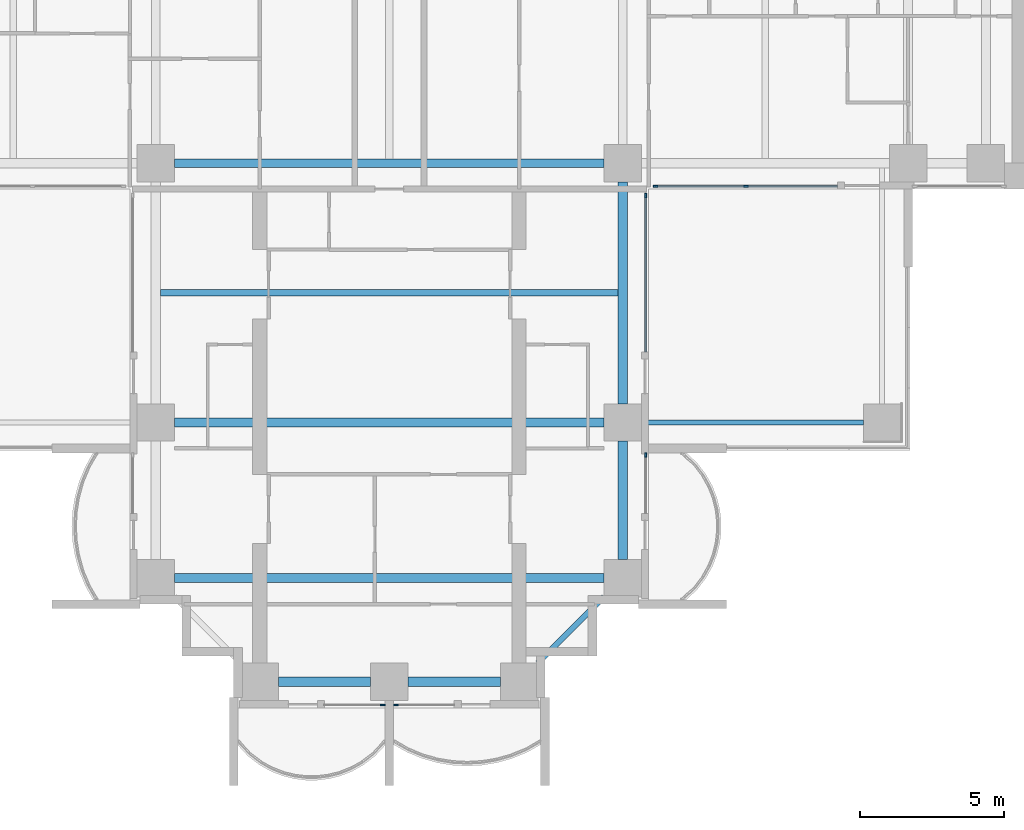
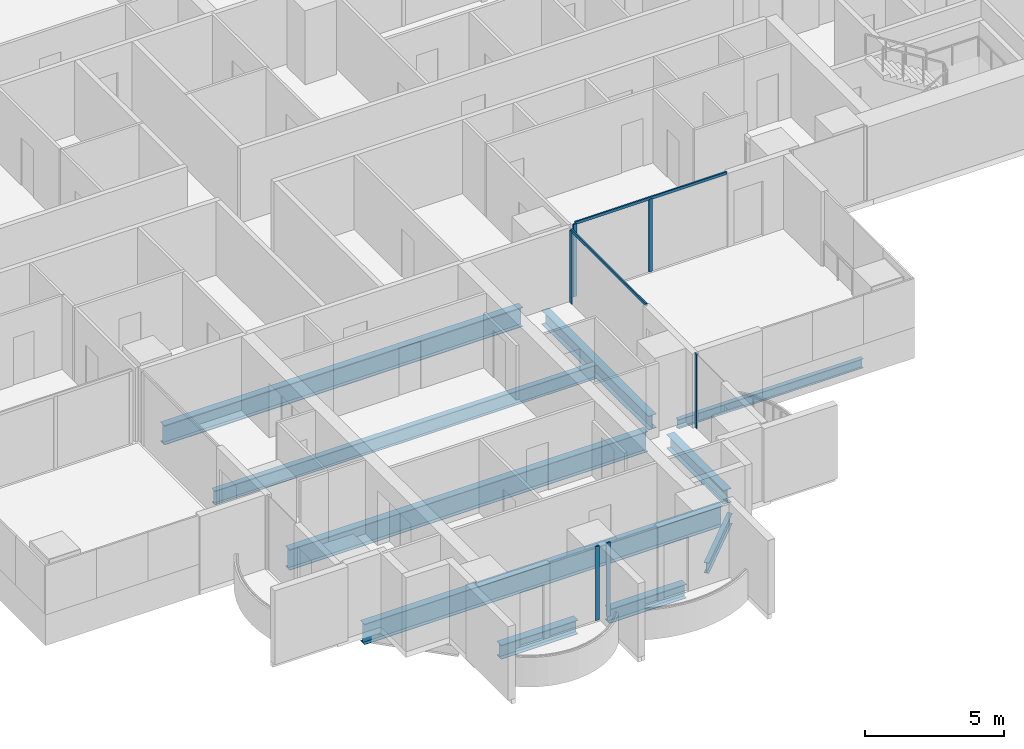
# One storey, part 3 of 21: 10 beams, 8 members, 5 elements without a shape of their own.
"""IFC4 building model written with IfcOpenShell, lengths in metres."""

from ifc_helpers import new_model, si_unit, direction, frame, origin, origin_2d, place, context, subcontext, project, spatial, rectangle, i_section, extrude, material, material_profile, profile_set, type_object, element, aggregate, save


model = new_model("IFC4")

# Units and contexts
model_context = context("Model", 3, precision=1e-05, world=origin(), true_north=direction((0.0, 1.0)))
body_context = subcontext(model_context, "Body", "Model", "MODEL_VIEW")
ifc_project = project(units=[si_unit("LENGTHUNIT", "METRE"), si_unit("AREAUNIT", "SQUARE_METRE"), si_unit("VOLUMEUNIT", "CUBIC_METRE"), si_unit("PLANEANGLEUNIT", "RADIAN"), si_unit("MASSUNIT", "GRAM", prefix="KILO")], contexts=[model_context])

# Site, building, storey
site_placement = place(None, origin())
site = spatial("IfcSite", under=ifc_project, at=site_placement, CompositionType="ELEMENT")
building_placement = place(site_placement, origin())
building = spatial("IfcBuilding", under=site, at=building_placement, Name="Perihelion Cross Residences", CompositionType="ELEMENT")
storey_placement = place(building_placement, frame((0.0, 0.0, 57.5)))
storey = spatial("IfcBuildingStorey", under=building, at=storey_placement, Name="L11", CompositionType="ELEMENT", Elevation=57.5)

# Curtain wall, member
ifc_material_1 = material(Name="Bronze anodised aluminium, tinted glazing", Category="aluminium")
curtain_wall_type = type_object("IfcCurtainWallType", Name="CW1", PredefinedType="NOTDEFINED", material=ifc_material_1)
curtain_wall_1_placement = place(storey_placement, origin())
curtain_wall_1 = element("IfcCurtainWall", 1, at=curtain_wall_1_placement, inside=storey, type_object=curtain_wall_type, Name="Curtain wall CW1 L11 south tip south bay 1", PredefinedType="NOTDEFINED")
ifc_material_2 = material(Name="Bronze anodised aluminium", Category="aluminium")
ifc_material_profile_1 = material_profile(ifc_material_2, rectangle(XDim=0.06005859375, YDim=0.159912109375, at=origin_2d()), Name="CW1 mullion")
ifc_profile_set_1 = profile_set([ifc_material_profile_1], Name="Bronze anodised aluminium")
member_type_1 = type_object("IfcMemberType", Name="CW1 mullion", PredefinedType="MULLION", material=ifc_profile_set_1)
member_1_placement = place(storey_placement, frame((-0.22998046875, -26.89990234375, 0.0), z_axis=(0.0, 0.0, 1.0), x_axis=(0.0, 1.0, 0.0)))
member_1 = element("IfcMember", 2, at=member_1_placement, type_object=member_type_1, Name="CW1 mullion 2", PredefinedType="MULLION", context=body_context, shape_type="SweptSolid", body=[
    extrude(rectangle(XDim=0.06005859375, YDim=0.159912109375, at=origin_2d()), origin(), (0.0, 0.0, 1.0), 3.25),
])
aggregate(curtain_wall_1, [member_1])

curtain_wall_2_placement = place(storey_placement, origin())
curtain_wall_2 = element("IfcCurtainWall", 3, at=curtain_wall_2_placement, inside=storey, type_object=curtain_wall_type, Name="Curtain wall CW1 L11 south tip south bay 2", PredefinedType="NOTDEFINED")
member_2_placement = place(storey_placement, frame((0.22998046875, -26.89990234375, 0.0), z_axis=(0.0, 0.0, 1.0), x_axis=(0.0, 1.0, 0.0)))
member_2 = element("IfcMember", 4, at=member_2_placement, type_object=member_type_1, Name="CW1 mullion 1", PredefinedType="MULLION", context=body_context, shape_type="SweptSolid", body=[
    extrude(rectangle(XDim=0.06005859375, YDim=0.159912109375, at=origin_2d()), origin(), (0.0, 0.0, 1.0), 3.25),
])
aggregate(curtain_wall_2, [member_2])

curtain_wall_3_placement = place(storey_placement, origin())
curtain_wall_3 = element("IfcCurtainWall", 5, at=curtain_wall_3_placement, inside=storey, type_object=curtain_wall_type, Name="Curtain wall CW1 L11 south side east bay 1", PredefinedType="NOTDEFINED")
member_3_placement = place(storey_placement, frame((8.89990234375, -18.22998046875, 0.0), z_axis=(0.0, 0.0, 1.0), x_axis=(-1.0, 0.0, 0.0)))
member_3 = element("IfcMember", 6, at=member_3_placement, type_object=member_type_1, Name="CW1 mullion 2", PredefinedType="MULLION", context=body_context, shape_type="SweptSolid", body=[
    extrude(rectangle(XDim=0.06005859375, YDim=0.159912109375, at=origin_2d()), origin(), (0.0, 0.0, 1.0), 3.25),
])
aggregate(curtain_wall_3, [member_3])

curtain_wall_4_placement = place(storey_placement, origin())
curtain_wall_4 = element("IfcCurtainWall", 7, at=curtain_wall_4_placement, inside=storey, type_object=curtain_wall_type, Name="Curtain wall CW1 L11 south side east bay 2", PredefinedType="NOTDEFINED")
member_4_placement = place(storey_placement, frame((8.89990234375, -9.22998046875, 0.0), z_axis=(0.0, 0.0, 1.0), x_axis=(-1.0, 0.0, 0.0)))
member_4 = element("IfcMember", 8, at=member_4_placement, type_object=member_type_1, Name="CW1 mullion 2", PredefinedType="MULLION", context=body_context, shape_type="SweptSolid", body=[
    extrude(rectangle(XDim=0.06005859375, YDim=0.159912109375, at=origin_2d()), origin(), (0.0, 0.0, 1.0), 3.18994140625),
])

# Curtain wall, members
curtain_wall_5_placement = place(storey_placement, origin())
curtain_wall_5 = element("IfcCurtainWall", 9, at=curtain_wall_5_placement, inside=storey, type_object=curtain_wall_type, Name="Curtain wall CW1 L11 east side south bay 1", PredefinedType="NOTDEFINED")
member_5_placement = place(storey_placement, frame((9.22998046875, -8.89990234375, 0.0), z_axis=(0.0, 0.0, 1.0), x_axis=(0.0, 1.0, 0.0)))
member_5 = element("IfcMember", 10, at=member_5_placement, type_object=member_type_1, Name="CW1 mullion 1", PredefinedType="MULLION", context=body_context, shape_type="SweptSolid", body=[
    extrude(rectangle(XDim=0.06005859375, YDim=0.159912109375, at=origin_2d()), origin(), (0.0, 0.0, 1.0), 3.18994140625),
])
member_6_placement = place(storey_placement, frame((12.375, -8.89990234375, 0.0), z_axis=(0.0, 0.0, 1.0), x_axis=(0.0, 1.0, 0.0)))
member_6 = element("IfcMember", 11, at=member_6_placement, type_object=member_type_1, Name="CW1 mullion 2", PredefinedType="MULLION", context=body_context, shape_type="SweptSolid", body=[
    extrude(rectangle(XDim=0.06005859375, YDim=0.159912109375, at=origin_2d()), origin(), (0.0, 0.0, 1.0), 3.18994140625),
])

# Member
ifc_material_3 = material(Name="Bronze anodised aluminium", Category="aluminium")
ifc_material_profile_2 = material_profile(ifc_material_3, rectangle(XDim=0.06005859375, YDim=0.1201171875, at=origin_2d()), Name="CW1 transom")
ifc_profile_set_2 = profile_set([ifc_material_profile_2], Name="Bronze anodised aluminium")
member_type_2 = type_object("IfcMemberType", Name="CW1 transom", PredefinedType="USERDEFINED", material=ifc_profile_set_2)
member_7_placement = place(storey_placement, frame((8.89990234375, -14.64990234375, 3.219970703125), z_axis=(0.0, 1.0, 0.0), x_axis=(-1.0, 0.0, 0.0)))
member_7 = element("IfcMember", 12, at=member_7_placement, type_object=member_type_2, Name="CW1 head transom", ObjectType="TRANSOM", PredefinedType="USERDEFINED", context=body_context, shape_type="SweptSolid", body=[
    extrude(rectangle(XDim=0.06005859375, YDim=0.1201171875, at=origin_2d()), origin(), (0.0, 0.0, 1.0), 5.419921875),
])

aggregate(curtain_wall_4, [member_4, member_7])

member_8_placement = place(storey_placement, frame((9.22998046875, -8.89990234375, 3.219970703125), z_axis=(1.0, 0.0, 0.0), x_axis=(0.0, 1.0, 0.0)))
member_8 = element("IfcMember", 13, at=member_8_placement, type_object=member_type_2, Name="CW1 head transom", ObjectType="TRANSOM", PredefinedType="USERDEFINED", context=body_context, shape_type="SweptSolid", body=[
    extrude(rectangle(XDim=0.06005859375, YDim=0.1201171875, at=origin_2d()), origin(), (0.0, 0.0, 1.0), 6.320068359375),
])

aggregate(curtain_wall_5, [member_5, member_6, member_8])

# Beams
ifc_material_4 = material(Name="Steel S355", Category="steel")
ifc_material_profile_3 = material_profile(ifc_material_4, i_section(OverallWidth=0.177978515625, OverallDepth=0.406005859375, WebThickness=0.0078125, FlangeThickness=0.0126953125, at=origin_2d()), Name="W410x60")
ifc_profile_set_3 = profile_set([ifc_material_profile_3], Name="Steel S355")
beam_type_1 = type_object("IfcBeamType", Name="Core edge beam W410x60", PredefinedType="BEAM", material=ifc_profile_set_3)
beam_1_placement = place(storey_placement, frame((8.75, -17.10009765625, -0.452880859375), z_axis=(1.0, 0.0, 0.0), x_axis=(0.0, 1.0, 0.0)))
element("IfcBeam", 14, at=beam_1_placement, inside=storey, type_object=beam_type_1, Name="Core edge beam TB2 L11 corner no. 6", PredefinedType="BEAM", context=body_context, shape_type="SweptSolid", body=[
    extrude(i_section(OverallWidth=0.177978515625, OverallDepth=0.406005859375, WebThickness=0.0078125, FlangeThickness=0.0126953125, at=origin_2d()), origin(), (0.0, 0.0, 1.0), 7.699951171875),
])
ifc_material_5 = material(Name="Steel S355", Category="steel")
ifc_material_profile_4 = material_profile(ifc_material_5, i_section(OverallWidth=0.324951171875, OverallDepth=0.616943359375, WebThickness=0.013916015625, FlangeThickness=0.021484375, at=origin_2d()), Name="W610x174")
ifc_profile_set_4 = profile_set([ifc_material_profile_4], Name="Steel S355")
beam_type_2 = type_object("IfcBeamType", Name="Edge beam W610x174", PredefinedType="SPANDREL", material=ifc_profile_set_4)
for number, where, z_axis, x_axis, name in (
    (15, (-3.85009765625, -26.10009765625, -0.55859375), (1.0, 0.0, 0.0), (0.0, 1.0, 0.0), "Edge beam SB2 L11 no. 4"),
    (16, (0.64990234375, -26.10009765625, -0.55859375), (1.0, 0.0, 0.0), (0.0, 1.0, 0.0), "Edge beam SB2 L11 no. 10"),
):
    element("IfcBeam", number, at=place(storey_placement, frame(where, z_axis=z_axis, x_axis=x_axis)), inside=storey, type_object=beam_type_2, Name=name, PredefinedType="SPANDREL", context=body_context, shape_type="SweptSolid", body=[
        extrude(i_section(OverallWidth=0.324951171875, OverallDepth=0.616943359375, WebThickness=0.013916015625, FlangeThickness=0.021484375, at=origin_2d()), origin(), (0.0, 0.0, 1.0), 3.2001953125),
    ])
beam_2_placement = place(storey_placement, frame((8.10009765625, -21.85009765625, -0.55859375), z_axis=(0.0, 1.0, 0.0), x_axis=(-1.0, 0.0, 0.0)))
element("IfcBeam", 17, at=beam_2_placement, inside=storey, type_object=beam_type_2, Name="Edge beam SB2 L11 no. 17", PredefinedType="SPANDREL", context=body_context, shape_type="SweptSolid", body=[
    extrude(i_section(OverallWidth=0.324951171875, OverallDepth=0.616943359375, WebThickness=0.013916015625, FlangeThickness=0.021484375, at=origin_2d()), origin(), (0.0, 0.0, 1.0), 4.10009765625),
])
beam_3_placement = place(storey_placement, frame((8.10009765625, -16.449951171875, -0.55859375), z_axis=(0.0, 1.0, 0.0), x_axis=(-1.0, 0.0, 0.0)))
element("IfcBeam", 18, at=beam_3_placement, inside=storey, type_object=beam_type_2, Name="Edge beam SB2 L11 no. 16", PredefinedType="SPANDREL", context=body_context, shape_type="SweptSolid", body=[
    extrude(i_section(OverallWidth=0.324951171875, OverallDepth=0.616943359375, WebThickness=0.013916015625, FlangeThickness=0.021484375, at=origin_2d()), origin(), (0.0, 0.0, 1.0), 7.699951171875),
])
ifc_material_6 = material(Name="Steel S355", Category="steel")
ifc_material_profile_5 = material_profile(ifc_material_6, i_section(OverallWidth=0.304931640625, OverallDepth=0.904052734375, WebThickness=0.01513671875, FlangeThickness=0.02001953125, at=origin_2d()), Name="W920x201")
ifc_profile_set_5 = profile_set([ifc_material_profile_5], Name="Steel S355")
beam_type_3 = type_object("IfcBeamType", Name="Floor girder W920x201", PredefinedType="BEAM", material=ifc_profile_set_5)
for number, where, z_axis, x_axis, name in (
    (19, (-7.449951171875, -17.10009765625, -0.701904296875), (1.0, 0.0, 0.0), (0.0, 1.0, 0.0), "Girder G2 L11 no. 3"),
    (20, (-7.449951171875, -22.5, -0.701904296875), (1.0, 0.0, 0.0), (0.0, 1.0, 0.0), "Girder G2 L11 no. 4"),
):
    element("IfcBeam", number, at=place(storey_placement, frame(where, z_axis=z_axis, x_axis=x_axis)), inside=storey, type_object=beam_type_3, Name=name, PredefinedType="BEAM", context=body_context, shape_type="SweptSolid", body=[
        extrude(i_section(OverallWidth=0.304931640625, OverallDepth=0.904052734375, WebThickness=0.01513671875, FlangeThickness=0.02001953125, at=origin_2d()), origin(), (0.0, 0.0, 1.0), 14.89990234375),
    ])
ifc_material_7 = material(Name="Steel S355", Category="steel")
ifc_material_profile_6 = material_profile(ifc_material_7, i_section(OverallWidth=0.22900390625, OverallDepth=0.612060546875, WebThickness=0.011962890625, FlangeThickness=0.01953125, at=origin_2d()), Name="W610x125")
ifc_profile_set_6 = profile_set([ifc_material_profile_6], Name="Steel S355")
beam_type_4 = type_object("IfcBeamType", Name="Floor joist W610x125", PredefinedType="JOIST", material=ifc_profile_set_6)
beam_4_placement = place(storey_placement, frame((-7.9375, -12.60009765625, -0.555908203125), z_axis=(1.0, 0.0, 0.0), x_axis=(0.0, 1.0, 0.0)))
element("IfcBeam", 21, at=beam_4_placement, inside=storey, type_object=beam_type_4, Name="Joist J3 L11 no. 3", PredefinedType="JOIST", context=body_context, shape_type="SweptSolid", body=[
    extrude(i_section(OverallWidth=0.22900390625, OverallDepth=0.612060546875, WebThickness=0.011962890625, FlangeThickness=0.01953125, at=origin_2d()), origin(), (0.0, 0.0, 1.0), 15.875),
])
ifc_material_8 = material(Name="Steel S355", Category="steel")
ifc_material_profile_7 = material_profile(ifc_material_8, i_section(OverallWidth=0.2919921875, OverallDepth=0.85888671875, WebThickness=0.01708984375, FlangeThickness=0.031005859375, at=origin_2d()), Name="W840x251")
ifc_profile_set_7 = profile_set([ifc_material_profile_7], Name="Steel S355")
beam_type_5 = type_object("IfcBeamType", Name="Hub ring girder W840x251", PredefinedType="BEAM", material=ifc_profile_set_7)
beam_5_placement = place(storey_placement, frame((-7.449951171875, -8.10009765625, -0.679443359375), z_axis=(1.0, 0.0, 0.0), x_axis=(0.0, 1.0, 0.0)))
element("IfcBeam", 22, at=beam_5_placement, inside=storey, type_object=beam_type_5, Name="Hub ring girder RG2 L11 no. 1", PredefinedType="BEAM", context=body_context, shape_type="SweptSolid", body=[
    extrude(i_section(OverallWidth=0.2919921875, OverallDepth=0.85888671875, WebThickness=0.01708984375, FlangeThickness=0.031005859375, at=origin_2d()), origin(), (0.0, 0.0, 1.0), 14.89990234375),
])
ifc_material_9 = material(Name="Steel S355", Category="steel")
ifc_material_profile_8 = material_profile(ifc_material_9, i_section(OverallWidth=0.194091796875, OverallDepth=0.469970703125, WebThickness=0.0126953125, FlangeThickness=0.0205078125, at=origin_2d()), Name="W460x106")
ifc_profile_set_8 = profile_set([ifc_material_profile_8], Name="Steel S355")
beam_type_6 = type_object("IfcBeamType", Name="Serration edge beam W460x106", PredefinedType="BEAM", material=ifc_profile_set_8)
beam_6_placement = place(storey_placement, frame((5.14990234375, -25.449951171875, -0.485107421875), z_axis=(0.707106781187, 0.707106781187, 0.0), x_axis=(-0.707106781187, 0.707106781187, 0.0)))
element("IfcBeam", 23, at=beam_6_placement, inside=storey, type_object=beam_type_6, Name="Serration edge beam EB2 L11 no. 3", PredefinedType="BEAM", context=body_context, shape_type="SweptSolid", body=[
    extrude(i_section(OverallWidth=0.194091796875, OverallDepth=0.469970703125, WebThickness=0.0126953125, FlangeThickness=0.0205078125, at=origin_2d()), origin(), (0.0, 0.0, 1.0), 3.252685546875),
])

save(model, "model.ifc")
